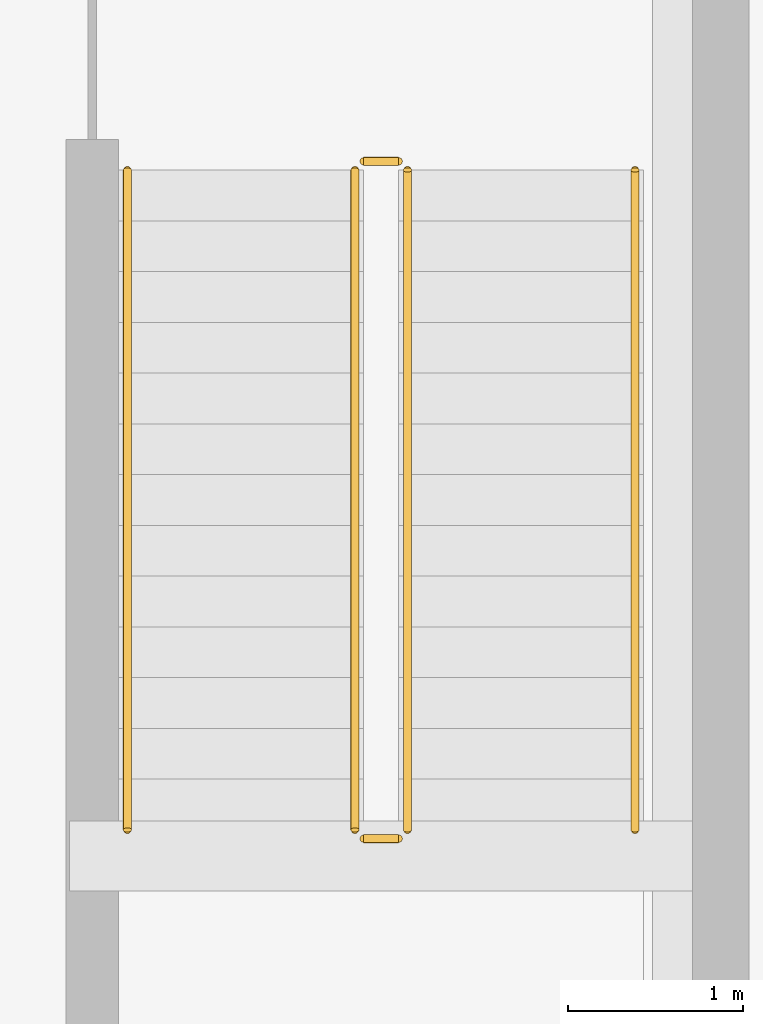
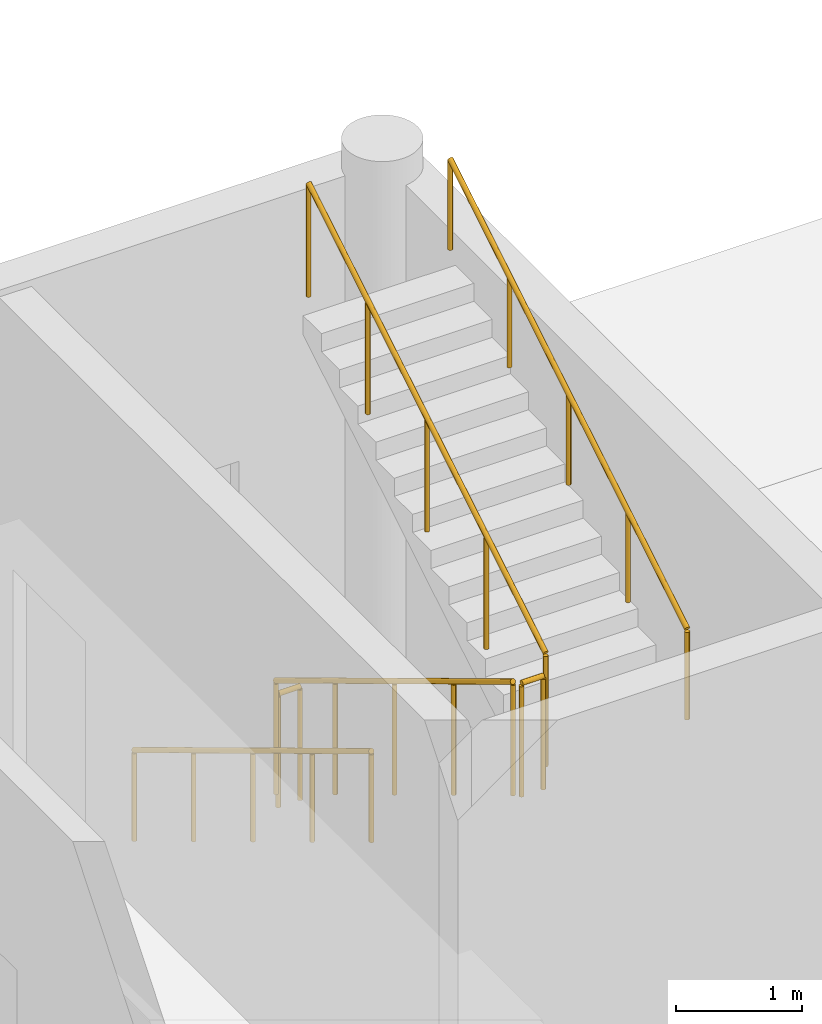
# One storey, part 74 of 85: 6 railings.
"""IFC4 building model written with IfcOpenShell, lengths in metres."""

from ifc_helpers import new_model, si_unit, derived_unit, direction, frame, origin, origin_2d, place, context, subcontext, project, spatial, circle, extrude, material, type_object, element, save


model = new_model("IFC4")

# Units and contexts
model_context = context("Model", 3, precision=1e-05, world=origin(), true_north=direction((0.0, 1.0)))
body_context = subcontext(model_context, "Body", "Model", "MODEL_VIEW")
ifc_project = project(units=[si_unit("LENGTHUNIT", "METRE"), si_unit("AREAUNIT", "SQUARE_METRE"), si_unit("VOLUMEUNIT", "CUBIC_METRE"), si_unit("PLANEANGLEUNIT", "RADIAN"), si_unit("MASSUNIT", "GRAM", prefix="KILO"), derived_unit("THERMALTRANSMITTANCEUNIT", [(si_unit("MASSUNIT", "GRAM", prefix="KILO"), 1), (si_unit("TIMEUNIT", "SECOND"), -3), (si_unit("THERMODYNAMICTEMPERATUREUNIT", "KELVIN"), -1)])], contexts=[model_context])

# Site, building, storey
site_placement = place(None, origin())
site = spatial("IfcSite", under=ifc_project, at=site_placement, CompositionType="ELEMENT")
building_placement = place(site_placement, origin())
building = spatial("IfcBuilding", under=site, at=building_placement, Name="Ochrekiln Boulevard Commons", CompositionType="ELEMENT")
storey_placement = place(building_placement, origin())
storey = spatial("IfcBuildingStorey", under=building, at=storey_placement, Name="L00", CompositionType="ELEMENT", Elevation=0.0)

# Railings
ifc_material = material(Name="Brushed stainless steel 316 tubular railing", Category="steel")
railing_type_1 = type_object("IfcRailingType", Name="RLG-HDR-900", PredefinedType="HANDRAIL", material=ifc_material)
railing_1_placement = place(storey_placement, frame((104.449951171875, 116.85009765625, 0.175048828125)))
element("IfcRailing", 1, at=railing_1_placement, inside=storey, type_object=railing_type_1, Name="L00 ST-N2 stair handrail 1", PredefinedType="HANDRAIL", context=body_context, shape_type="SweptSolid", body=[
    extrude(circle(Radius=0.02392578125, at=origin_2d()), frame((0.0, 0.0, 0.8759765625), z_axis=(0.0, -0.856198655849, 0.51664674752), x_axis=(1.0, 0.0, 0.0)), (0.0, 0.0, 1.0), 4.4033203125),
    extrude(circle(Radius=0.02099609375, at=origin_2d()), origin(), (0.0, 0.0, 1.0), 0.851806640625),
    extrude(circle(Radius=0.02099609375, at=origin_2d()), frame((0.0, -0.9423828125, 0.56884765625)), (0.0, 0.0, 1.0), 0.851806640625),
    extrude(circle(Radius=0.02099609375, at=origin_2d()), frame((0.0, -1.885009765625, 1.137451171875)), (0.0, 0.0, 1.0), 0.851806640625),
    extrude(circle(Radius=0.02099609375, at=origin_2d()), frame((0.0, -2.82763671875, 1.7060546875)), (0.0, 0.0, 1.0), 0.851806640625),
    extrude(circle(Radius=0.02099609375, at=origin_2d()), frame((0.0, -3.77001953125, 2.27490234375)), (0.0, 0.0, 1.0), 0.851806640625),
])
railing_2_placement = place(storey_placement, frame((107.35009765625, 113.080078125, 2.625)))
element("IfcRailing", 2, at=railing_2_placement, inside=storey, type_object=railing_type_1, Name="L00 ST-N2 stair handrail 2", PredefinedType="HANDRAIL", context=body_context, shape_type="SweptSolid", body=[
    extrude(circle(Radius=0.02392578125, at=origin_2d()), frame((0.0, 0.0, 0.8759765625), z_axis=(0.0, 0.856198655849, 0.51664674752), x_axis=(-1.0, 0.0, 0.0)), (0.0, 0.0, 1.0), 4.4033203125),
    extrude(circle(Radius=0.02099609375, at=origin_2d()), origin(), (0.0, 0.0, 1.0), 0.851806640625),
    extrude(circle(Radius=0.02099609375, at=origin_2d()), frame((0.0, 0.9423828125, 0.56884765625)), (0.0, 0.0, 1.0), 0.851806640625),
    extrude(circle(Radius=0.02099609375, at=origin_2d()), frame((0.0, 1.885009765625, 1.137451171875)), (0.0, 0.0, 1.0), 0.851806640625),
    extrude(circle(Radius=0.02099609375, at=origin_2d()), frame((0.0, 2.82763671875, 1.7060546875)), (0.0, 0.0, 1.0), 0.851806640625),
    extrude(circle(Radius=0.02099609375, at=origin_2d()), frame((0.0, 3.77001953125, 2.27490234375)), (0.0, 0.0, 1.0), 0.851806640625),
])
railing_type_2 = type_object("IfcRailingType", Name="RLG-STR-1120", PredefinedType="BALUSTRADE", material=ifc_material)
railing_3_placement = place(storey_placement, frame((105.75, 116.85009765625, 0.175048828125)))
element("IfcRailing", 3, at=railing_3_placement, inside=storey, type_object=railing_type_2, Name="L00 ST-N2 stair guard 1", PredefinedType="BALUSTRADE", context=body_context, shape_type="SweptSolid", body=[
    extrude(circle(Radius=0.02392578125, at=origin_2d()), frame((0.0, 0.0, 1.09619140625), z_axis=(0.0, -0.856198655849, 0.51664674752), x_axis=(1.0, 0.0, 0.0)), (0.0, 0.0, 1.0), 4.4033203125),
    extrude(circle(Radius=0.02099609375, at=origin_2d()), origin(), (0.0, 0.0, 1.0), 1.072021484375),
    extrude(circle(Radius=0.02099609375, at=origin_2d()), frame((0.0, -0.9423828125, 0.56884765625)), (0.0, 0.0, 1.0), 1.072021484375),
    extrude(circle(Radius=0.02099609375, at=origin_2d()), frame((0.0, -1.885009765625, 1.137451171875)), (0.0, 0.0, 1.0), 1.072021484375),
    extrude(circle(Radius=0.02099609375, at=origin_2d()), frame((0.0, -2.82763671875, 1.7060546875)), (0.0, 0.0, 1.0), 1.072021484375),
    extrude(circle(Radius=0.02099609375, at=origin_2d()), frame((0.0, -3.77001953125, 2.27490234375)), (0.0, 0.0, 1.0), 1.072021484375),
])
railing_4_placement = place(storey_placement, frame((105.800048828125, 113.030029296875, 2.449951171875)))
element("IfcRailing", 4, at=railing_4_placement, inside=storey, type_object=railing_type_2, Name="L00 ST-N2 stair guard 2", PredefinedType="BALUSTRADE", context=body_context, shape_type="SweptSolid", body=[
    extrude(circle(Radius=0.02392578125, at=origin_2d()), frame((0.0, 0.0, 1.09619140625), z_axis=(1.0, 0.0, 0.0), x_axis=(0.0, 1.0, 0.0)), (0.0, 0.0, 1.0), 0.199951171875),
    extrude(circle(Radius=0.02099609375, at=origin_2d()), origin(), (0.0, 0.0, 1.0), 1.072021484375),
    extrude(circle(Radius=0.02099609375, at=origin_2d()), frame((0.199951171875, 0.0, 0.0)), (0.0, 0.0, 1.0), 1.072021484375),
])
railing_5_placement = place(storey_placement, frame((106.050048828125, 113.080078125, 2.625)))
element("IfcRailing", 5, at=railing_5_placement, inside=storey, type_object=railing_type_2, Name="L00 ST-N2 stair guard 3", PredefinedType="BALUSTRADE", context=body_context, shape_type="SweptSolid", body=[
    extrude(circle(Radius=0.02392578125, at=origin_2d()), frame((0.0, 0.0, 1.09619140625), z_axis=(0.0, 0.856198655849, 0.51664674752), x_axis=(-1.0, 0.0, 0.0)), (0.0, 0.0, 1.0), 4.4033203125),
    extrude(circle(Radius=0.02099609375, at=origin_2d()), origin(), (0.0, 0.0, 1.0), 1.072021484375),
    extrude(circle(Radius=0.02099609375, at=origin_2d()), frame((0.0, 0.9423828125, 0.56884765625)), (0.0, 0.0, 1.0), 1.072021484375),
    extrude(circle(Radius=0.02099609375, at=origin_2d()), frame((0.0, 1.885009765625, 1.137451171875)), (0.0, 0.0, 1.0), 1.072021484375),
    extrude(circle(Radius=0.02099609375, at=origin_2d()), frame((0.0, 2.82763671875, 1.7060546875)), (0.0, 0.0, 1.0), 1.072021484375),
    extrude(circle(Radius=0.02099609375, at=origin_2d()), frame((0.0, 3.77001953125, 2.27490234375)), (0.0, 0.0, 1.0), 1.072021484375),
])
railing_6_placement = place(storey_placement, frame((105.800048828125, 116.89990234375, 0.0)))
element("IfcRailing", 6, at=railing_6_placement, inside=storey, type_object=railing_type_2, Name="L00 ST-N2 stair guard 4", PredefinedType="BALUSTRADE", context=body_context, shape_type="SweptSolid", body=[
    extrude(circle(Radius=0.02392578125, at=origin_2d()), frame((0.0, 0.0, 1.09619140625), z_axis=(1.0, 0.0, 0.0), x_axis=(0.0, 1.0, 0.0)), (0.0, 0.0, 1.0), 0.199951171875),
    extrude(circle(Radius=0.02099609375, at=origin_2d()), origin(), (0.0, 0.0, 1.0), 1.072021484375),
    extrude(circle(Radius=0.02099609375, at=origin_2d()), frame((0.199951171875, 0.0, 0.0)), (0.0, 0.0, 1.0), 1.072021484375),
])

save(model, "model.ifc")
